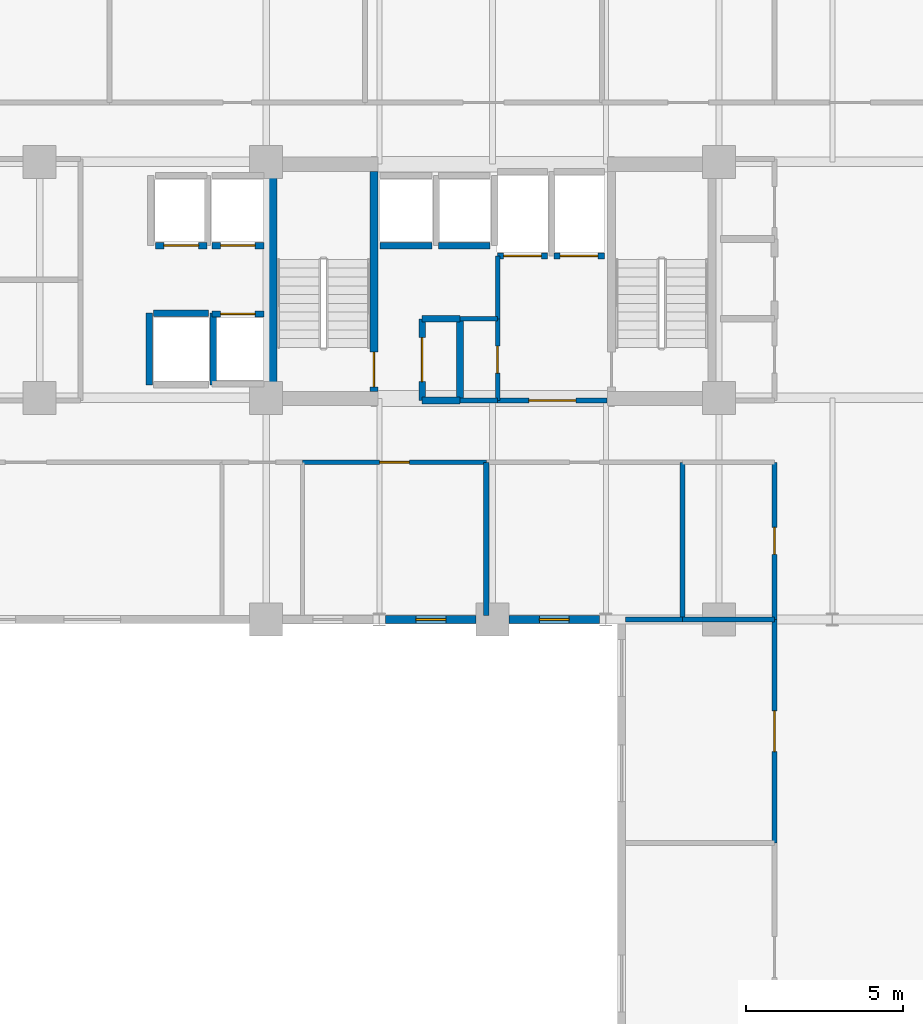
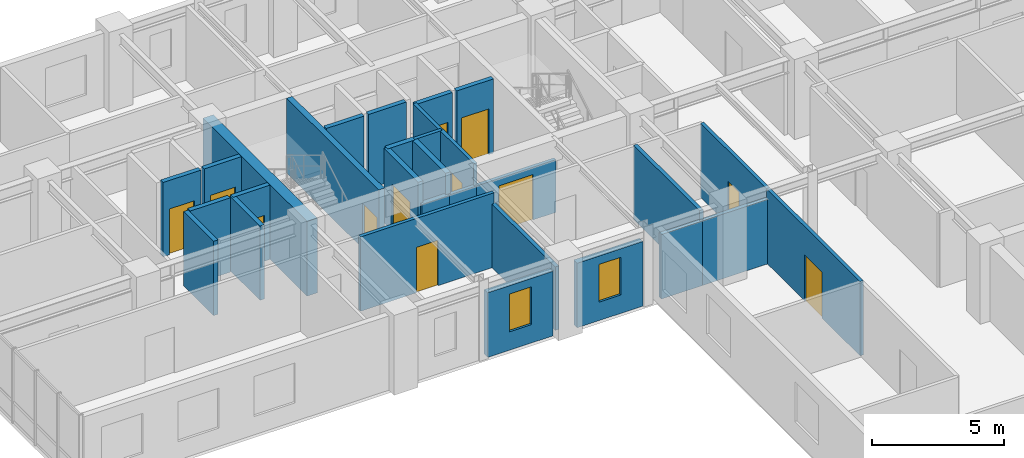
# One storey, part 11 of 19: 30 walls, 12 doors, 2 windows, 14 openings.
"""IFC4 building model written with IfcOpenShell, lengths in metres."""

from ifc_helpers import new_model, si_unit, direction, frame, frame_2d, origin, place, context, subcontext, project, spatial, rectangle, extrude, material, layer, layer_set, type_object, element, fill, save


model = new_model("IFC4")

# Units and contexts
model_context = context("Model", 3, precision=1e-05, world=origin(), true_north=direction((0.0, 1.0)))
body_context = subcontext(model_context, "Body", "Model", "MODEL_VIEW")
ifc_project = project(units=[si_unit("LENGTHUNIT", "METRE"), si_unit("AREAUNIT", "SQUARE_METRE"), si_unit("VOLUMEUNIT", "CUBIC_METRE"), si_unit("PLANEANGLEUNIT", "RADIAN"), si_unit("MASSUNIT", "GRAM", prefix="KILO")], contexts=[model_context])

# Site, building, storey
site_placement = place(None, origin())
site = spatial("IfcSite", under=ifc_project, at=site_placement, CompositionType="ELEMENT")
building_placement = place(site_placement, origin())
building = spatial("IfcBuilding", under=site, at=building_placement, Name="Kaliganga Portal Commons", CompositionType="ELEMENT")
storey_placement = place(building_placement, frame((0.0, 0.0, 140.199951171875)))
storey = spatial("IfcBuildingStorey", under=building, at=storey_placement, Name="L35", CompositionType="ELEMENT", Elevation=140.199951171875)

# Wall
ifc_material_1 = material(Name="Concrete C60/75", Category="concrete")
ifc_layer_1 = layer(ifc_material_1, 0.449951171875)
ifc_layer_set_1 = layer_set([ifc_layer_1], Name="Concrete C60/75")
wall_type_1 = type_object("IfcWallType", Name="WL-CORE-450", PredefinedType="SHEAR", material=ifc_layer_set_1)
wall_1_placement = place(storey_placement, frame((14.52490234375, 28.39990234375, 0.0), z_axis=(0.0, 0.0, 1.0), x_axis=(0.0, 1.0, 0.0)))
element("IfcWall", 1, at=wall_1_placement, inside=storey, type_object=wall_type_1, Name="Core A West Shear Wall L35", PredefinedType="SHEAR", context=body_context, shape_type="SweptSolid", body=[
    extrude(rectangle(XDim=7.900146484375, YDim=0.449951171875, at=frame_2d((3.9501953125, 0.0))), origin(), (0.0, 0.0, 1.0), 3.4599609375),
])

# Wall, opening, window
ifc_material_2 = material(Name="Insulated Aluminium-Clad Spandrel Assembly", Category="aluminium")
ifc_layer_2 = layer(ifc_material_2, 0.260009765625)
ifc_layer_set_2 = layer_set([ifc_layer_2], Name="Insulated Aluminium-Clad Spandrel Assembly")
wall_type_2 = type_object("IfcWallType", Name="WL-EXT-SPAND-260", PredefinedType="STANDARD", material=ifc_layer_set_2)
wall_2_placement = place(storey_placement, frame((21.073974609375, 21.60009765625, 0.0), z_axis=(0.0, 0.0, 1.0), x_axis=(-1.0, 0.0, 0.0)))
wall_2 = element("IfcWall", 2, at=wall_2_placement, inside=storey, type_object=wall_type_2, Name="Exterior Envelope Wall L35 P1-E04-S3", PredefinedType="STANDARD", context=body_context, shape_type="SweptSolid", body=[
    extrude(rectangle(XDim=2.87109375, YDim=0.260009765625, at=frame_2d((1.435546875, 0.0))), origin(), (0.0, 0.0, 1.0), 2.989990234375),
])
opening_1_placement = place(wall_2_placement, frame((0.96044921875, 0.0, 0.85009765625)))
opening_1 = element("IfcOpeningElement", 3, at=opening_1_placement, cuts=wall_2, Name="Opening W-04", PredefinedType="OPENING", context=body_context, shape_type="SweptSolid", body=[
    extrude(rectangle(XDim=0.949951171875, YDim=1.75, at=frame_2d((0.47509765625, 0.875))), frame((0.0, 0.14013671875, 0.0), z_axis=(0.0, -1.0, 0.0), x_axis=(1.0, 0.0, 0.0)), (0.0, 0.0, 1.0), 0.280029296875),
])
ifc_material_3 = material(Name="Thermally Broken Aluminium and Low-E Double Glazing", Category="aluminium")
window_type = type_object("IfcWindowType", Name="WIN-NARROW-950", PartitioningType="SINGLE_PANEL", PredefinedType="WINDOW", material=ifc_material_3)
window_1_placement = place(opening_1_placement, origin())
window_1 = element("IfcWindow", 4, at=window_1_placement, inside=storey, type_object=window_type, Name="Facade Window L35-P1E04S3-00", OverallHeight=1.75, OverallWidth=0.949951171875, PartitioningType="SINGLE_PANEL", PredefinedType="WINDOW", context=body_context, shape_type="SweptSolid", body=[
    extrude(rectangle(XDim=0.949951171875, YDim=1.75, at=frame_2d((0.47509765625, 0.875))), frame((0.0, 0.030029296875, 0.0), z_axis=(0.0, -1.0, 0.0), x_axis=(1.0, 0.0, 0.0)), (0.0, 0.0, 1.0), 0.06005859375),
])
fill(opening_1, window_1)

wall_3_placement = place(storey_placement, frame((24.9970703125, 21.60009765625, 0.0), z_axis=(0.0, 0.0, 1.0), x_axis=(-1.0, 0.0, 0.0)))
wall_3 = element("IfcWall", 5, at=wall_3_placement, inside=storey, type_object=wall_type_2, Name="Exterior Envelope Wall L35 P1-E04-S4", PredefinedType="STANDARD", context=body_context, shape_type="SweptSolid", body=[
    extrude(rectangle(XDim=2.87109375, YDim=0.260009765625, at=frame_2d((1.435546875, 0.0))), origin(), (0.0, 0.0, 1.0), 2.989990234375),
])
opening_2_placement = place(wall_3_placement, frame((0.96044921875, 0.0, 0.85009765625)))
opening_2 = element("IfcOpeningElement", 6, at=opening_2_placement, cuts=wall_3, Name="Opening W-04", PredefinedType="OPENING", context=body_context, shape_type="SweptSolid", body=[
    extrude(rectangle(XDim=0.949951171875, YDim=1.75, at=frame_2d((0.47509765625, 0.875))), frame((0.0, 0.14013671875, 0.0), z_axis=(0.0, -1.0, 0.0), x_axis=(1.0, 0.0, 0.0)), (0.0, 0.0, 1.0), 0.280029296875),
])
window_2_placement = place(opening_2_placement, origin())
window_2 = element("IfcWindow", 7, at=window_2_placement, inside=storey, type_object=window_type, Name="Facade Window L35-P1E04S4-00", OverallHeight=1.75, OverallWidth=0.949951171875, PartitioningType="SINGLE_PANEL", PredefinedType="WINDOW", context=body_context, shape_type="SweptSolid", body=[
    extrude(rectangle(XDim=0.949951171875, YDim=1.75, at=frame_2d((0.47509765625, 0.875))), frame((0.0, 0.030029296875, 0.0), z_axis=(0.0, -1.0, 0.0), x_axis=(1.0, 0.0, 0.0)), (0.0, 0.0, 1.0), 0.06005859375),
])
fill(opening_2, window_2)

# Wall, opening, door
ifc_material_4 = material(Name="Fire-Rated Gypsum Board on Steel Stud", Category="steel")
ifc_layer_3 = layer(ifc_material_4, 0.14990234375)
ifc_layer_set_3 = layer_set([ifc_layer_3], Name="Fire-Rated Gypsum Board on Steel Stud")
wall_type_3 = type_object("IfcWallType", Name="WL-PART-CORR-150", PredefinedType="PARTITIONING", material=ifc_layer_set_3)
wall_4_placement = place(storey_placement, frame((30.56005859375, 14.5, 0.0), z_axis=(0.0, 0.0, 1.0), x_axis=(0.0, 1.0, 0.0)))
wall_4 = element("IfcWall", 8, at=wall_4_placement, inside=storey, type_object=wall_type_3, Name="Interior Partition L35-015", PredefinedType="PARTITIONING", context=body_context, shape_type="SweptSolid", body=[
    extrude(rectangle(XDim=7.10009765625, YDim=0.14990234375, at=frame_2d((3.550048828125, 0.0))), origin(), (0.0, 0.0, 1.0), 3.43994140625),
])
opening_3_placement = place(wall_4_placement, frame((2.89990234375, 0.0, 0.0)))
opening_3 = element("IfcOpeningElement", 9, at=opening_3_placement, cuts=wall_4, Name="Opening RD-03", PredefinedType="OPENING", context=body_context, shape_type="SweptSolid", body=[
    extrude(rectangle(XDim=1.300048828125, YDim=2.1201171875, at=frame_2d((0.64990234375, 1.06005859375))), frame((0.0, 0.0849609375, 0.0), z_axis=(0.0, -1.0, 0.0), x_axis=(1.0, 0.0, 0.0)), (0.0, 0.0, 1.0), 0.169921875),
])
ifc_material_5 = material(Name="Glazed Timber Seminar Vision Door", Category="wood")
door_type_1 = type_object("IfcDoorType", Name="DR-STUDY-1300", OperationType="DOUBLE_DOOR_SINGLE_SWING", PredefinedType="DOOR", material=ifc_material_5)
door_1_placement = place(opening_3_placement, origin())
door_1 = element("IfcDoor", 10, at=door_1_placement, inside=storey, type_object=door_type_1, Name="Interior Door L35-KW02", OperationType="DOUBLE_DOOR_SINGLE_SWING", OverallHeight=2.1201171875, OverallWidth=1.300048828125, PredefinedType="DOOR", context=body_context, shape_type="SweptSolid", body=[
    extrude(rectangle(XDim=1.300048828125, YDim=2.1201171875, at=frame_2d((0.64990234375, 1.06005859375))), frame((0.0, 0.02490234375, 0.0), z_axis=(0.0, -1.0, 0.0), x_axis=(1.0, 0.0, 0.0)), (0.0, 0.0, 1.0), 0.050048828125),
])
fill(opening_3, door_1)

wall_5_placement = place(storey_placement, frame((15.56005859375, 26.60009765625, 0.0), z_axis=(0.0, 0.0, 1.0), x_axis=(1.0, 0.0, 0.0)))
wall_5 = element("IfcWall", 11, at=wall_5_placement, inside=storey, type_object=wall_type_3, Name="Interior Partition L35-023", PredefinedType="PARTITIONING", context=body_context, shape_type="SweptSolid", body=[
    extrude(rectangle(XDim=5.83984375, YDim=0.14990234375, at=frame_2d((2.919921875, 0.0))), origin(), (0.0, 0.0, 1.0), 3.43994140625),
])
opening_4_placement = place(wall_5_placement, frame((2.445068359375, 0.0, 0.0)))
opening_4 = element("IfcOpeningElement", 12, at=opening_4_placement, cuts=wall_5, Name="Opening UD-01", PredefinedType="OPENING", context=body_context, shape_type="SweptSolid", body=[
    extrude(rectangle(XDim=0.949951171875, YDim=2.10009765625, at=frame_2d((0.47509765625, 1.050048828125))), frame((0.0, 0.0849609375, 0.0), z_axis=(0.0, -1.0, 0.0), x_axis=(1.0, 0.0, 0.0)), (0.0, 0.0, 1.0), 0.169921875),
])
ifc_material_6 = material(Name="Solid-Core Timber Acoustic Fire Door", Category="wood")
door_type_2 = type_object("IfcDoorType", Name="DR-UNIT-950", OperationType="NOTDEFINED", PredefinedType="DOOR", material=ifc_material_6)
door_2_placement = place(opening_4_placement, origin())
door_2 = element("IfcDoor", 13, at=door_2_placement, inside=storey, type_object=door_type_2, Name="Interior Door L35-AS03", OperationType="SINGLE_SWING_RIGHT", OverallHeight=2.10009765625, OverallWidth=0.949951171875, PredefinedType="DOOR", context=body_context, shape_type="SweptSolid", body=[
    extrude(rectangle(XDim=0.949951171875, YDim=2.10009765625, at=frame_2d((0.47509765625, 1.050048828125))), frame((0.0, 0.02490234375, 0.0), z_axis=(0.0, -1.0, 0.0), x_axis=(1.0, 0.0, 0.0)), (0.0, 0.0, 1.0), 0.050048828125),
])
fill(opening_4, door_2)

wall_6_placement = place(storey_placement, frame((30.56005859375, 21.60009765625, 0.0), z_axis=(0.0, 0.0, 1.0), x_axis=(0.0, 1.0, 0.0)))
wall_6 = element("IfcWall", 14, at=wall_6_placement, inside=storey, type_object=wall_type_3, Name="Interior Partition L35-025", PredefinedType="PARTITIONING", context=body_context, shape_type="SweptSolid", body=[
    extrude(rectangle(XDim=5.0, YDim=0.14990234375, at=frame_2d((2.5, 0.0))), origin(), (0.0, 0.0, 1.0), 3.43994140625),
])
opening_5_placement = place(wall_6_placement, frame((2.070068359375, 0.0, 0.0)))
opening_5 = element("IfcOpeningElement", 15, at=opening_5_placement, cuts=wall_6, Name="Opening WD-02", PredefinedType="OPENING", context=body_context, shape_type="SweptSolid", body=[
    extrude(rectangle(XDim=0.860107421875, YDim=2.02001953125, at=frame_2d((0.43017578125, 1.010009765625))), frame((0.0, 0.0849609375, 0.0), z_axis=(0.0, -1.0, 0.0), x_axis=(1.0, 0.0, 0.0)), (0.0, 0.0, 1.0), 0.169921875),
])
ifc_material_7 = material(Name="Fire-Rated Utility Closet Door", Category="wood")
door_type_3 = type_object("IfcDoorType", Name="DR-STORE-800", OperationType="NOTDEFINED", PredefinedType="DOOR", material=ifc_material_7)
door_3_placement = place(opening_5_placement, origin())
door_3 = element("IfcDoor", 16, at=door_3_placement, inside=storey, type_object=door_type_3, Name="Interior Door L35-AS05", OperationType="SINGLE_SWING_RIGHT", OverallHeight=2.02001953125, OverallWidth=0.860107421875, PredefinedType="DOOR", context=body_context, shape_type="SweptSolid", body=[
    extrude(rectangle(XDim=0.860107421875, YDim=2.02001953125, at=frame_2d((0.43017578125, 1.010009765625))), frame((0.0, 0.02490234375, 0.0), z_axis=(0.0, -1.0, 0.0), x_axis=(1.0, 0.0, 0.0)), (0.0, 0.0, 1.0), 0.050048828125),
])
fill(opening_5, door_3)

wall_7_placement = place(storey_placement, frame((21.760009765625, 28.56005859375, 0.0), z_axis=(0.0, 0.0, 1.0), x_axis=(0.0, 1.0, 0.0)))
wall_7 = element("IfcWall", 17, at=wall_7_placement, inside=storey, type_object=wall_type_3, Name="Interior Partition L35-039", PredefinedType="PARTITIONING", context=body_context, shape_type="SweptSolid", body=[
    extrude(rectangle(XDim=2.599853515625, YDim=0.14990234375, at=frame_2d((1.2998046875, 0.0))), origin(), (0.0, 0.0, 1.0), 3.43994140625),
])
opening_6_placement = place(wall_7_placement, frame((0.8701171875, 0.0, 0.0)))
opening_6 = element("IfcOpeningElement", 18, at=opening_6_placement, cuts=wall_7, Name="Opening WD-02", PredefinedType="OPENING", context=body_context, shape_type="SweptSolid", body=[
    extrude(rectangle(XDim=0.860107421875, YDim=2.02001953125, at=frame_2d((0.43017578125, 1.010009765625))), frame((0.0, 0.0849609375, 0.0), z_axis=(0.0, -1.0, 0.0), x_axis=(1.0, 0.0, 0.0)), (0.0, 0.0, 1.0), 0.169921875),
])
door_4_placement = place(opening_6_placement, origin())
door_4 = element("IfcDoor", 19, at=door_4_placement, inside=storey, type_object=door_type_3, Name="Interior Door L35-CIN_A2", OperationType="SINGLE_SWING_LEFT", OverallHeight=2.02001953125, OverallWidth=0.860107421875, PredefinedType="DOOR", context=body_context, shape_type="SweptSolid", body=[
    extrude(rectangle(XDim=0.860107421875, YDim=2.02001953125, at=frame_2d((0.43017578125, 1.010009765625))), frame((0.0, 0.02490234375, 0.0), z_axis=(0.0, -1.0, 0.0), x_axis=(1.0, 0.0, 0.0)), (0.0, 0.0, 1.0), 0.050048828125),
])
fill(opening_6, door_4)

# Walls
wall_8_placement = place(storey_placement, frame((20.56005859375, 28.56005859375, 0.0), z_axis=(0.0, 0.0, 1.0), x_axis=(1.0, 0.0, 0.0)))
element("IfcWall", 20, at=wall_8_placement, inside=storey, type_object=wall_type_3, Name="Interior Partition L35-047", PredefinedType="PARTITIONING", context=body_context, shape_type="SweptSolid", body=[
    extrude(rectangle(XDim=1.199951171875, YDim=0.14990234375, at=frame_2d((0.60009765625, 0.0))), origin(), (0.0, 0.0, 1.0), 2.43994140625),
])
wall_9_placement = place(storey_placement, frame((20.56005859375, 31.159912109375, 0.0), z_axis=(0.0, 0.0, 1.0), x_axis=(1.0, 0.0, 0.0)))
element("IfcWall", 21, at=wall_9_placement, inside=storey, type_object=wall_type_3, Name="Interior Partition L35-048", PredefinedType="PARTITIONING", context=body_context, shape_type="SweptSolid", body=[
    extrude(rectangle(XDim=1.199951171875, YDim=0.14990234375, at=frame_2d((0.60009765625, 0.0))), origin(), (0.0, 0.0, 1.0), 3.43994140625),
])

# Wall, opening, door
wall_10_placement = place(storey_placement, frame((21.760009765625, 28.56005859375, 0.0), z_axis=(0.0, 0.0, 1.0), x_axis=(1.0, 0.0, 0.0)))
wall_10 = element("IfcWall", 22, at=wall_10_placement, inside=storey, type_object=wall_type_3, Name="Interior Partition L35-071", PredefinedType="PARTITIONING", context=body_context, shape_type="SweptSolid", body=[
    extrude(rectangle(XDim=3.47998046875, YDim=0.14990234375, at=frame_2d((1.739990234375, 0.0))), origin(), (0.0, 0.0, 1.0), 2.43994140625),
])
opening_7_placement = place(wall_10_placement, frame((0.989990234375, 0.0, 0.0)))
opening_7 = element("IfcOpeningElement", 23, at=opening_7_placement, cuts=wall_10, Name="Opening FD-01", PredefinedType="OPENING", context=body_context, shape_type="SweptSolid", body=[
    extrude(rectangle(XDim=1.5, YDim=2.10009765625, at=frame_2d((0.75, 1.050048828125))), frame((0.0, 0.0849609375, 0.0), z_axis=(0.0, -1.0, 0.0), x_axis=(1.0, 0.0, 0.0)), (0.0, 0.0, 1.0), 0.169921875),
])
ifc_material_8 = material(Name="Fire-Rated Hardwood and Georgian-Wired Vision Panel", Category="wood")
door_type_4 = type_object("IfcDoorType", Name="DR-LOBBY-1500", OperationType="DOUBLE_DOOR_SINGLE_SWING", PredefinedType="DOOR", material=ifc_material_8)
door_5_placement = place(opening_7_placement, origin())
door_5 = element("IfcDoor", 24, at=door_5_placement, inside=storey, type_object=door_type_4, Name="Interior Door L35-FFLOB_A", OperationType="DOUBLE_DOOR_SINGLE_SWING", OverallHeight=2.10009765625, OverallWidth=1.5, PredefinedType="DOOR", context=body_context, shape_type="SweptSolid", body=[
    extrude(rectangle(XDim=1.5, YDim=2.10009765625, at=frame_2d((0.75, 1.050048828125))), frame((0.0, 0.02490234375, 0.0), z_axis=(0.0, -1.0, 0.0), x_axis=(1.0, 0.0, 0.0)), (0.0, 0.0, 1.0), 0.050048828125),
])
fill(opening_7, door_5)

# Wall
wall_11_placement = place(storey_placement, frame((21.760009765625, 31.159912109375, 0.0), z_axis=(0.0, 0.0, 1.0), x_axis=(0.0, 1.0, 0.0)))
element("IfcWall", 25, at=wall_11_placement, inside=storey, type_object=wall_type_3, Name="Interior Partition L35-076", PredefinedType="PARTITIONING", context=body_context, shape_type="SweptSolid", body=[
    extrude(rectangle(XDim=2.0, YDim=0.14990234375, at=frame_2d((1.0, 0.0))), origin(), (0.0, 0.0, 1.0), 3.43994140625),
])

# Wall, opening, door
ifc_material_9 = material(Name="Lightweight blockwork masonry", Category="masonry")
ifc_layer_4 = layer(ifc_material_9, 0.215087890625)
ifc_layer_set_4 = layer_set([ifc_layer_4], Name="Lightweight blockwork masonry")
wall_type_4 = type_object("IfcWallType", Name="WL-PART-PLANT-215", PredefinedType="PARTITIONING", material=ifc_layer_set_4)
wall_12_placement = place(storey_placement, frame((19.360107421875, 28.56005859375, 0.0), z_axis=(0.0, 0.0, 1.0), x_axis=(0.0, 1.0, 0.0)))
wall_12 = element("IfcWall", 26, at=wall_12_placement, inside=storey, type_object=wall_type_4, Name="Interior Partition L35-038", PredefinedType="PARTITIONING", context=body_context, shape_type="SweptSolid", body=[
    extrude(rectangle(XDim=2.599853515625, YDim=0.215087890625, at=frame_2d((1.2998046875, 0.0))), origin(), (0.0, 0.0, 1.0), 3.43994140625),
])
opening_8_placement = place(wall_12_placement, frame((0.60009765625, 0.0, 0.0)))
opening_8 = element("IfcOpeningElement", 27, at=opening_8_placement, cuts=wall_12, Name="Opening PD-01", PredefinedType="OPENING", context=body_context, shape_type="SweptSolid", body=[
    extrude(rectangle(XDim=1.39990234375, YDim=2.14990234375, at=frame_2d((0.699951171875, 1.074951171875))), frame((0.0, 0.11767578125, 0.0), z_axis=(0.0, -1.0, 0.0), x_axis=(1.0, 0.0, 0.0)), (0.0, 0.0, 1.0), 0.235107421875),
])
ifc_material_10 = material(Name="Heavy-Duty Steel Acoustic Louvre Fire Door", Category="steel")
door_type_5 = type_object("IfcDoorType", Name="DR-PLANT-1400", OperationType="DOUBLE_DOOR_SINGLE_SWING", PredefinedType="DOOR", material=ifc_material_10)
door_6_placement = place(opening_8_placement, origin())
door_6 = element("IfcDoor", 28, at=door_6_placement, inside=storey, type_object=door_type_5, Name="Interior Door L35-CIN_A1", OperationType="DOUBLE_DOOR_SINGLE_SWING", OverallHeight=2.14990234375, OverallWidth=1.39990234375, PredefinedType="DOOR", context=body_context, shape_type="SweptSolid", body=[
    extrude(rectangle(XDim=1.39990234375, YDim=2.14990234375, at=frame_2d((0.699951171875, 1.074951171875))), frame((0.0, 0.02490234375, 0.0), z_axis=(0.0, -1.0, 0.0), x_axis=(1.0, 0.0, 0.0)), (0.0, 0.0, 1.0), 0.050048828125),
])
fill(opening_8, door_6)

# Walls
wall_13_placement = place(storey_placement, frame((19.360107421875, 28.56005859375, 0.0), z_axis=(0.0, 0.0, 1.0), x_axis=(1.0, 0.0, 0.0)))
element("IfcWall", 29, at=wall_13_placement, inside=storey, type_object=wall_type_4, Name="Interior Partition L35-049", PredefinedType="PARTITIONING", context=body_context, shape_type="SweptSolid", body=[
    extrude(rectangle(XDim=1.199951171875, YDim=0.215087890625, at=frame_2d((0.60009765625, 0.0))), origin(), (0.0, 0.0, 1.0), 2.43994140625),
])
wall_14_placement = place(storey_placement, frame((19.360107421875, 31.159912109375, 0.0), z_axis=(0.0, 0.0, 1.0), x_axis=(1.0, 0.0, 0.0)))
element("IfcWall", 30, at=wall_14_placement, inside=storey, type_object=wall_type_4, Name="Interior Partition L35-050", PredefinedType="PARTITIONING", context=body_context, shape_type="SweptSolid", body=[
    extrude(rectangle(XDim=1.199951171875, YDim=0.215087890625, at=frame_2d((0.60009765625, 0.0))), origin(), (0.0, 0.0, 1.0), 3.43994140625),
])
wall_15_placement = place(storey_placement, frame((20.56005859375, 28.56005859375, 0.0), z_axis=(0.0, 0.0, 1.0), x_axis=(0.0, 1.0, 0.0)))
element("IfcWall", 31, at=wall_15_placement, inside=storey, type_object=wall_type_4, Name="Interior Partition L35-075", PredefinedType="PARTITIONING", context=body_context, shape_type="SweptSolid", body=[
    extrude(rectangle(XDim=2.599853515625, YDim=0.215087890625, at=frame_2d((1.2998046875, 0.0))), origin(), (0.0, 0.0, 1.0), 3.43994140625),
])
ifc_material_11 = material(Name="Twin-Stud Acoustic Gypsum Partition", Category="gypsum")
ifc_layer_5 = layer(ifc_material_11, 0.1650390625)
ifc_layer_set_5 = layer_set([ifc_layer_5], Name="Twin-Stud Acoustic Gypsum Partition")
wall_type_5 = type_object("IfcWallType", Name="WL-PART-UNIT-165", PredefinedType="PARTITIONING", material=ifc_layer_set_5)
wall_16_placement = place(storey_placement, frame((21.39990234375, 21.73193359375, 0.0), z_axis=(0.0, 0.0, 1.0), x_axis=(0.0, 1.0, 0.0)))
element("IfcWall", 32, at=wall_16_placement, inside=storey, type_object=wall_type_5, Name="Interior Partition L35-065", PredefinedType="PARTITIONING", context=body_context, shape_type="SweptSolid", body=[
    extrude(rectangle(XDim=4.8681640625, YDim=0.1650390625, at=frame_2d((2.43408203125, 0.0))), origin(), (0.0, 0.0, 1.0), 2.93994140625),
])
wall_17_placement = place(storey_placement, frame((27.639892578125, 21.60009765625, 0.0), z_axis=(0.0, 0.0, 1.0), x_axis=(0.0, 1.0, 0.0)))
element("IfcWall", 33, at=wall_17_placement, inside=storey, type_object=wall_type_5, Name="Interior Partition L35-066", PredefinedType="PARTITIONING", context=body_context, shape_type="SweptSolid", body=[
    extrude(rectangle(XDim=5.0, YDim=0.1650390625, at=frame_2d((2.5, 0.0))), origin(), (0.0, 0.0, 1.0), 3.43994140625),
])
wall_18_placement = place(storey_placement, frame((27.639892578125, 21.60009765625, 0.0), z_axis=(0.0, 0.0, 1.0), x_axis=(1.0, 0.0, 0.0)))
element("IfcWall", 34, at=wall_18_placement, inside=storey, type_object=wall_type_5, Name="Interior Partition L35-074", PredefinedType="PARTITIONING", context=body_context, shape_type="SweptSolid", body=[
    extrude(rectangle(XDim=2.920166015625, YDim=0.1650390625, at=frame_2d((1.4599609375, 0.0))), origin(), (0.0, 0.0, 1.0), 2.989990234375),
])
wall_19_placement = place(storey_placement, frame((25.83203125, 21.60009765625, 0.0), z_axis=(0.0, 0.0, 1.0), x_axis=(1.0, 0.0, 0.0)))
element("IfcWall", 35, at=wall_19_placement, inside=storey, type_object=wall_type_5, Name="Interior Partition L35-077", PredefinedType="PARTITIONING", context=body_context, shape_type="SweptSolid", body=[
    extrude(rectangle(XDim=1.807861328125, YDim=0.1650390625, at=frame_2d((0.90380859375, 0.0))), origin(), (0.0, 0.0, 1.0), 2.989990234375),
])
ifc_material_12 = material(Name="Fire-Rated Shaftwall Masonry Assembly", Category="masonry")
ifc_layer_6 = layer(ifc_material_12, 0.199951171875)
ifc_layer_set_6 = layer_set([ifc_layer_6], Name="Fire-Rated Shaftwall Masonry Assembly")
wall_type_6 = type_object("IfcWallType", Name="WL-SHAFT-200", PredefinedType="PARTITIONING", material=ifc_layer_set_6)
wall_20_placement = place(storey_placement, frame((18.02490234375, 33.485107421875, 0.0), z_axis=(0.0, 0.0, 1.0), x_axis=(1.0, 0.0, 0.0)))
element("IfcWall", 36, at=wall_20_placement, inside=storey, type_object=wall_type_6, Name="Lift PL-A1 Hoistway Shaft Wall L35-S", PredefinedType="PARTITIONING", context=body_context, shape_type="SweptSolid", body=[
    extrude(rectangle(XDim=1.650146484375, YDim=0.199951171875, at=frame_2d((0.8251953125, 0.0))), origin(), (0.0, 0.0, 1.0), 3.43994140625),
])
wall_21_placement = place(storey_placement, frame((19.875, 33.485107421875, 0.0), z_axis=(0.0, 0.0, 1.0), x_axis=(1.0, 0.0, 0.0)))
element("IfcWall", 37, at=wall_21_placement, inside=storey, type_object=wall_type_6, Name="Lift PL-A2 Hoistway Shaft Wall L35-S", PredefinedType="PARTITIONING", context=body_context, shape_type="SweptSolid", body=[
    extrude(rectangle(XDim=1.64990234375, YDim=0.199951171875, at=frame_2d((0.824951171875, 0.0))), origin(), (0.0, 0.0, 1.0), 3.43994140625),
])
wall_22_placement = place(storey_placement, frame((10.824951171875, 31.340087890625, 0.0), z_axis=(0.0, 0.0, 1.0), x_axis=(1.0, 0.0, 0.0)))
element("IfcWall", 38, at=wall_22_placement, inside=storey, type_object=wall_type_6, Name="Lift SH-1 Hoistway Shaft Wall L35-N", PredefinedType="PARTITIONING", context=body_context, shape_type="SweptSolid", body=[
    extrude(rectangle(XDim=1.75, YDim=0.199951171875, at=frame_2d((0.875, 0.0))), origin(), (0.0, 0.0, 1.0), 3.43994140625),
])
for number, where, z_axis, x_axis, name in (
    (39, (10.68505859375, 29.06005859375, 0.0), (0.0, 0.0, 1.0), (0.0, 1.0, 0.0), "Lift SH-1 Hoistway Shaft Wall L35-W"),
    (40, (12.715087890625, 29.06005859375, 0.0), (0.0, 0.0, 1.0), (0.0, 1.0, 0.0), "Lift SH-1 Hoistway Shaft Wall L35-E"),
):
    element("IfcWall", number, at=place(storey_placement, frame(where, z_axis=z_axis, x_axis=x_axis)), inside=storey, type_object=wall_type_6, Name=name, PredefinedType="PARTITIONING", context=body_context, shape_type="SweptSolid", body=[
        extrude(rectangle(XDim=2.280029296875, YDim=0.199951171875, at=frame_2d((1.14013671875, 0.0))), origin(), (0.0, 0.0, 1.0), 3.43994140625),
    ])

# Wall, opening, door
wall_23_placement = place(storey_placement, frame((12.675048828125, 33.485107421875, 0.0), z_axis=(0.0, 0.0, 1.0), x_axis=(1.0, 0.0, 0.0)))
wall_23 = element("IfcWall", 41, at=wall_23_placement, inside=storey, type_object=wall_type_6, Name="Lift PL-A3 Hoistway Shaft Wall L35-S", PredefinedType="PARTITIONING", context=body_context, shape_type="SweptSolid", body=[
    extrude(rectangle(XDim=1.64990234375, YDim=0.199951171875, at=frame_2d((0.824951171875, 0.0))), origin(), (0.0, 0.0, 1.0), 3.43994140625),
])
opening_9_placement = place(wall_23_placement, frame((0.27490234375, 0.0, 0.0)))
opening_9 = element("IfcOpeningElement", 42, at=opening_9_placement, cuts=wall_23, Name="Opening LD-01", PredefinedType="OPENING", context=body_context, shape_type="SweptSolid", body=[
    extrude(rectangle(XDim=1.10009765625, YDim=2.1201171875, at=frame_2d((0.550048828125, 1.06005859375))), frame((0.0, 0.10986328125, 0.0), z_axis=(0.0, -1.0, 0.0), x_axis=(1.0, 0.0, 0.0)), (0.0, 0.0, 1.0), 0.219970703125),
])
ifc_material_13 = material(Name="Brushed Stainless Steel 316 Lift Landing Door", Category="steel")
door_type_6 = type_object("IfcDoorType", Name="DR-LIFT-1100", OperationType="SLIDING_TO_LEFT", PredefinedType="DOOR", material=ifc_material_13)
door_7_placement = place(opening_9_placement, origin())
door_7 = element("IfcDoor", 43, at=door_7_placement, inside=storey, type_object=door_type_6, Name="Lift PL-A3 Sliding Landing Door L35", OperationType="SLIDING_TO_LEFT", OverallHeight=2.1201171875, OverallWidth=1.10009765625, PredefinedType="DOOR", context=body_context, shape_type="SweptSolid", body=[
    extrude(rectangle(XDim=1.10009765625, YDim=2.1201171875, at=frame_2d((0.550048828125, 1.06005859375))), frame((0.0, 0.02490234375, 0.0), z_axis=(0.0, -1.0, 0.0), x_axis=(1.0, 0.0, 0.0)), (0.0, 0.0, 1.0), 0.050048828125),
])
fill(opening_9, door_7)

wall_24_placement = place(storey_placement, frame((12.675048828125, 31.31494140625, 0.0), z_axis=(0.0, 0.0, 1.0), x_axis=(1.0, 0.0, 0.0)))
wall_24 = element("IfcWall", 44, at=wall_24_placement, inside=storey, type_object=wall_type_6, Name="Lift PL-A4 Hoistway Shaft Wall L35-N", PredefinedType="PARTITIONING", context=body_context, shape_type="SweptSolid", body=[
    extrude(rectangle(XDim=1.64990234375, YDim=0.199951171875, at=frame_2d((0.824951171875, 0.0))), origin(), (0.0, 0.0, 1.0), 3.43994140625),
])
opening_10_placement = place(wall_24_placement, frame((0.27490234375, 0.0, 0.0)))
opening_10 = element("IfcOpeningElement", 45, at=opening_10_placement, cuts=wall_24, Name="Opening LD-01", PredefinedType="OPENING", context=body_context, shape_type="SweptSolid", body=[
    extrude(rectangle(XDim=1.10009765625, YDim=2.1201171875, at=frame_2d((0.550048828125, 1.06005859375))), frame((0.0, 0.10986328125, 0.0), z_axis=(0.0, -1.0, 0.0), x_axis=(1.0, 0.0, 0.0)), (0.0, 0.0, 1.0), 0.219970703125),
])
door_8_placement = place(opening_10_placement, origin())
door_8 = element("IfcDoor", 46, at=door_8_placement, inside=storey, type_object=door_type_6, Name="Lift PL-A4 Sliding Landing Door L35", OperationType="SLIDING_TO_LEFT", OverallHeight=2.1201171875, OverallWidth=1.10009765625, PredefinedType="DOOR", context=body_context, shape_type="SweptSolid", body=[
    extrude(rectangle(XDim=1.10009765625, YDim=2.1201171875, at=frame_2d((0.550048828125, 1.06005859375))), frame((0.0, 0.02490234375, 0.0), z_axis=(0.0, -1.0, 0.0), x_axis=(1.0, 0.0, 0.0)), (0.0, 0.0, 1.0), 0.050048828125),
])
fill(opening_10, door_8)

wall_25_placement = place(storey_placement, frame((10.875, 33.485107421875, 0.0), z_axis=(0.0, 0.0, 1.0), x_axis=(1.0, 0.0, 0.0)))
wall_25 = element("IfcWall", 47, at=wall_25_placement, inside=storey, type_object=wall_type_6, Name="Lift PL-OBS Hoistway Shaft Wall L35-S", PredefinedType="PARTITIONING", context=body_context, shape_type="SweptSolid", body=[
    extrude(rectangle(XDim=1.64990234375, YDim=0.199951171875, at=frame_2d((0.824951171875, 0.0))), origin(), (0.0, 0.0, 1.0), 3.43994140625),
])
opening_11_placement = place(wall_25_placement, frame((0.27490234375, 0.0, 0.0)))
opening_11 = element("IfcOpeningElement", 48, at=opening_11_placement, cuts=wall_25, Name="Opening LD-01", PredefinedType="OPENING", context=body_context, shape_type="SweptSolid", body=[
    extrude(rectangle(XDim=1.10009765625, YDim=2.1201171875, at=frame_2d((0.550048828125, 1.06005859375))), frame((0.0, 0.10986328125, 0.0), z_axis=(0.0, -1.0, 0.0), x_axis=(1.0, 0.0, 0.0)), (0.0, 0.0, 1.0), 0.219970703125),
])
door_9_placement = place(opening_11_placement, origin())
door_9 = element("IfcDoor", 49, at=door_9_placement, inside=storey, type_object=door_type_6, Name="Lift PL-OBS Sliding Landing Door L35", OperationType="SLIDING_TO_LEFT", OverallHeight=2.1201171875, OverallWidth=1.10009765625, PredefinedType="DOOR", context=body_context, shape_type="SweptSolid", body=[
    extrude(rectangle(XDim=1.10009765625, YDim=2.1201171875, at=frame_2d((0.550048828125, 1.06005859375))), frame((0.0, 0.02490234375, 0.0), z_axis=(0.0, -1.0, 0.0), x_axis=(1.0, 0.0, 0.0)), (0.0, 0.0, 1.0), 0.050048828125),
])
fill(opening_11, door_9)

wall_26_placement = place(storey_placement, frame((21.75, 33.159912109375, 0.0), z_axis=(0.0, 0.0, 1.0), x_axis=(1.0, 0.0, 0.0)))
wall_26 = element("IfcWall", 50, at=wall_26_placement, inside=storey, type_object=wall_type_6, Name="Lift FFL-1 Hoistway Shaft Wall L35-S", PredefinedType="PARTITIONING", context=body_context, shape_type="SweptSolid", body=[
    extrude(rectangle(XDim=1.60009765625, YDim=0.199951171875, at=frame_2d((0.800048828125, 0.0))), origin(), (0.0, 0.0, 1.0), 3.43994140625),
])
opening_12_placement = place(wall_26_placement, frame((0.199951171875, 0.0, 0.0)))
opening_12 = element("IfcOpeningElement", 51, at=opening_12_placement, cuts=wall_26, Name="Opening LD-02", PredefinedType="OPENING", context=body_context, shape_type="SweptSolid", body=[
    extrude(rectangle(XDim=1.199951171875, YDim=2.1201171875, at=frame_2d((0.60009765625, 1.06005859375))), frame((0.0, 0.10986328125, 0.0), z_axis=(0.0, -1.0, 0.0), x_axis=(1.0, 0.0, 0.0)), (0.0, 0.0, 1.0), 0.219970703125),
])
ifc_material_14 = material(Name="Brushed Stainless Steel 316 Stretcher Lift Landing Door", Category="steel")
door_type_7 = type_object("IfcDoorType", Name="DR-LIFT-1200", OperationType="SLIDING_TO_RIGHT", PredefinedType="DOOR", material=ifc_material_14)
door_10_placement = place(opening_12_placement, origin())
door_10 = element("IfcDoor", 52, at=door_10_placement, inside=storey, type_object=door_type_7, Name="Lift FFL-1 Sliding Landing Door L35", OperationType="SLIDING_TO_RIGHT", OverallHeight=2.1201171875, OverallWidth=1.199951171875, PredefinedType="DOOR", context=body_context, shape_type="SweptSolid", body=[
    extrude(rectangle(XDim=1.199951171875, YDim=2.1201171875, at=frame_2d((0.60009765625, 1.06005859375))), frame((0.0, 0.02490234375, 0.0), z_axis=(0.0, -1.0, 0.0), x_axis=(1.0, 0.0, 0.0)), (0.0, 0.0, 1.0), 0.050048828125),
])
fill(opening_12, door_10)

wall_27_placement = place(storey_placement, frame((23.550048828125, 33.159912109375, 0.0), z_axis=(0.0, 0.0, 1.0), x_axis=(1.0, 0.0, 0.0)))
wall_27 = element("IfcWall", 53, at=wall_27_placement, inside=storey, type_object=wall_type_6, Name="Lift FFL-2 Hoistway Shaft Wall L35-S", PredefinedType="PARTITIONING", context=body_context, shape_type="SweptSolid", body=[
    extrude(rectangle(XDim=1.599853515625, YDim=0.199951171875, at=frame_2d((0.7998046875, 0.0))), origin(), (0.0, 0.0, 1.0), 3.43994140625),
])
opening_13_placement = place(wall_27_placement, frame((0.199951171875, 0.0, 0.0)))
opening_13 = element("IfcOpeningElement", 54, at=opening_13_placement, cuts=wall_27, Name="Opening LD-02", PredefinedType="OPENING", context=body_context, shape_type="SweptSolid", body=[
    extrude(rectangle(XDim=1.199951171875, YDim=2.1201171875, at=frame_2d((0.60009765625, 1.06005859375))), frame((0.0, 0.10986328125, 0.0), z_axis=(0.0, -1.0, 0.0), x_axis=(1.0, 0.0, 0.0)), (0.0, 0.0, 1.0), 0.219970703125),
])
door_11_placement = place(opening_13_placement, origin())
door_11 = element("IfcDoor", 55, at=door_11_placement, inside=storey, type_object=door_type_7, Name="Lift FFL-2 Sliding Landing Door L35", OperationType="SLIDING_TO_RIGHT", OverallHeight=2.1201171875, OverallWidth=1.199951171875, PredefinedType="DOOR", context=body_context, shape_type="SweptSolid", body=[
    extrude(rectangle(XDim=1.199951171875, YDim=2.1201171875, at=frame_2d((0.60009765625, 1.06005859375))), frame((0.0, 0.02490234375, 0.0), z_axis=(0.0, -1.0, 0.0), x_axis=(1.0, 0.0, 0.0)), (0.0, 0.0, 1.0), 0.050048828125),
])
fill(opening_13, door_11)

ifc_material_15 = material(Name="Concrete C50/60", Category="concrete")
ifc_layer_7 = layer(ifc_material_15, 0.25)
ifc_layer_set_7 = layer_set([ifc_layer_7], Name="Concrete C50/60")
wall_type_7 = type_object("IfcWallType", Name="WL-STAIR-250", PredefinedType="SHEAR", material=ifc_layer_set_7)
wall_28_placement = place(storey_placement, frame((17.824951171875, 28.85009765625, 0.0), z_axis=(0.0, 0.0, 1.0), x_axis=(0.0, 1.0, 0.0)))
wall_28 = element("IfcWall", 56, at=wall_28_placement, inside=storey, type_object=wall_type_7, Name="Stair A1 Enclosure Shear Wall L35", PredefinedType="SHEAR", context=body_context, shape_type="SweptSolid", body=[
    extrude(rectangle(XDim=7.0, YDim=0.25, at=frame_2d((3.5, 0.0))), origin(), (0.0, 0.0, 1.0), 3.4599609375),
])
opening_14_placement = place(wall_28_placement, frame((0.14990234375, 0.0, 0.0)))
opening_14 = element("IfcOpeningElement", 57, at=opening_14_placement, cuts=wall_28, Name="Opening SD-01", PredefinedType="OPENING", context=body_context, shape_type="SweptSolid", body=[
    extrude(rectangle(XDim=1.10009765625, YDim=2.080078125, at=frame_2d((0.550048828125, 1.0400390625))), frame((0.0, 0.135009765625, 0.0), z_axis=(0.0, -1.0, 0.0), x_axis=(1.0, 0.0, 0.0)), (0.0, 0.0, 1.0), 0.27001953125),
])
ifc_material_16 = material(Name="Galvanized Steel Fire Door Leaf and Frame", Category="steel")
door_type_8 = type_object("IfcDoorType", Name="DR-STAIR-1100", OperationType="NOTDEFINED", PredefinedType="DOOR", material=ifc_material_16)
door_12_placement = place(opening_14_placement, origin())
door_12 = element("IfcDoor", 58, at=door_12_placement, inside=storey, type_object=door_type_8, Name="Protected Stair ST-A1 Fire Door L35", OperationType="SINGLE_SWING_LEFT", OverallHeight=2.080078125, OverallWidth=1.10009765625, PredefinedType="DOOR", context=body_context, shape_type="SweptSolid", body=[
    extrude(rectangle(XDim=1.10009765625, YDim=2.080078125, at=frame_2d((0.550048828125, 1.0400390625))), frame((0.0, 0.02490234375, 0.0), z_axis=(0.0, -1.0, 0.0), x_axis=(1.0, 0.0, 0.0)), (0.0, 0.0, 1.0), 0.050048828125),
])
fill(opening_14, door_12)

save(model, "model.ifc")
